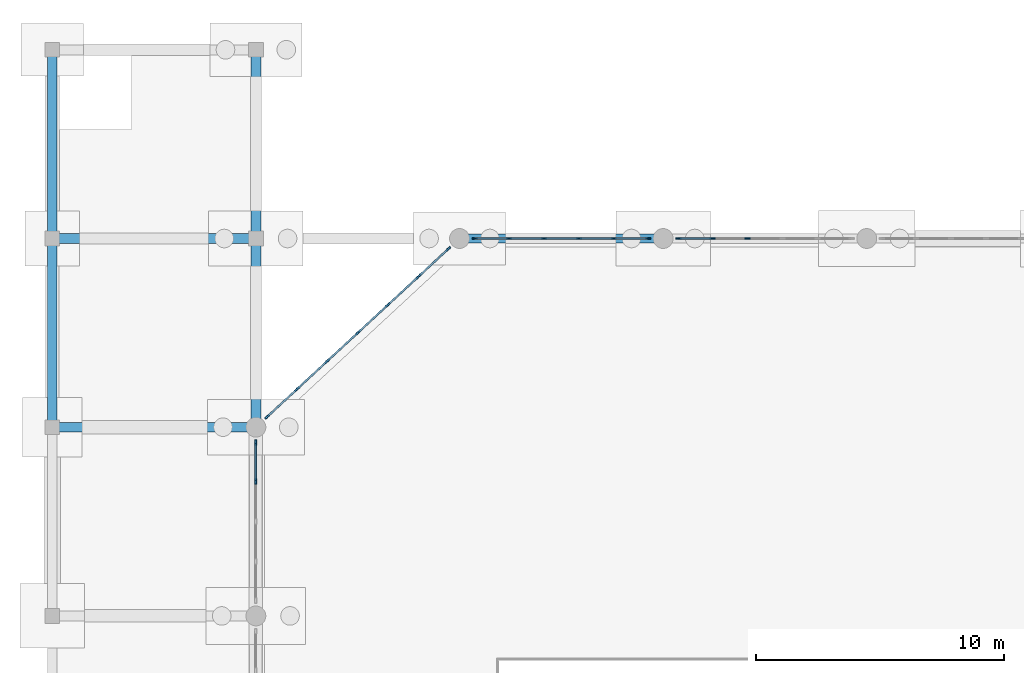
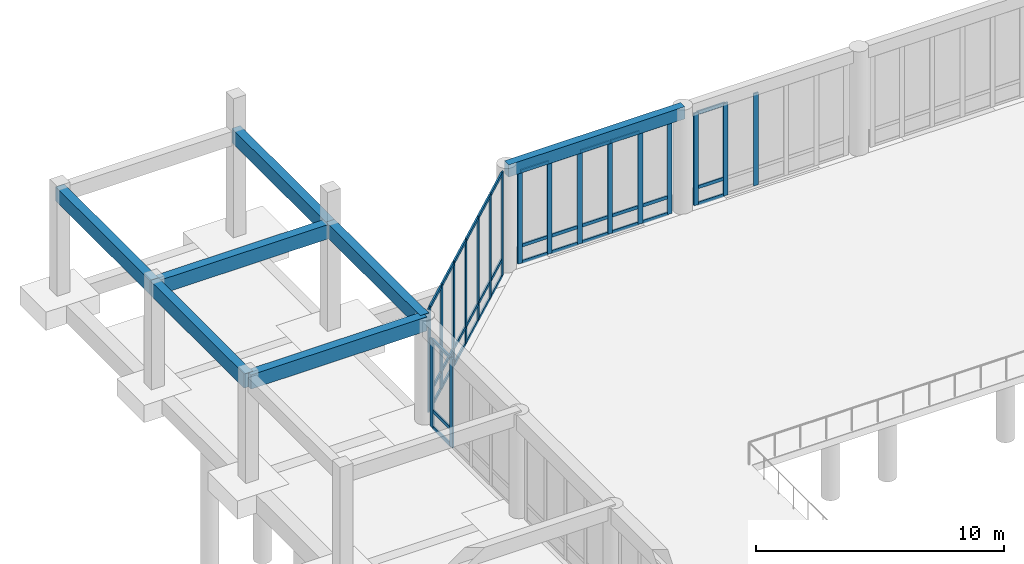
# One storey, part 24 of 64: 57 members, 7 beams, 4 elements without a shape of their own.
"""IFC4 building model written with IfcOpenShell, lengths in metres."""

from ifc_helpers import new_model, si_unit, direction, frame, origin, origin_2d, place, context, subcontext, project, spatial, rectangle, extrude, material, material_profile, profile_set, type_object, element, aggregate, save


model = new_model("IFC4")

# Units and contexts
model_context = context("Model", 3, precision=1e-05, world=origin(), true_north=direction((0.0, 1.0)))
body_context = subcontext(model_context, "Body", "Model", "MODEL_VIEW")
ifc_project = project(units=[si_unit("LENGTHUNIT", "METRE"), si_unit("AREAUNIT", "SQUARE_METRE"), si_unit("VOLUMEUNIT", "CUBIC_METRE"), si_unit("PLANEANGLEUNIT", "RADIAN"), si_unit("MASSUNIT", "GRAM", prefix="KILO")], contexts=[model_context])

# Site, building, storey
site_placement = place(None, origin())
site = spatial("IfcSite", under=ifc_project, at=site_placement, CompositionType="ELEMENT")
building_placement = place(site_placement, origin())
building = spatial("IfcBuilding", under=site, at=building_placement, Name="Qandaris Square Conservatory and Botanical Centre", CompositionType="ELEMENT")
storey_placement = place(building_placement, origin())
storey = spatial("IfcBuildingStorey", under=building, at=storey_placement, Name="L00", CompositionType="ELEMENT", Elevation=0.0)

# Curtain wall, members
ifc_material_1 = material(Name="Anodised Aluminium", Category="aluminium")
curtain_wall_type_1 = type_object("IfcCurtainWallType", Name="Unitised Curtain Wall CW-1-704x454", PredefinedType="USERDEFINED", material=ifc_material_1)
curtain_wall_1_placement = place(storey_placement, origin())
curtain_wall_1 = element("IfcCurtainWall", 1, at=curtain_wall_1_placement, inside=storey, type_object=curtain_wall_type_1, Name="Curtain Wall CW-CON-L00-5-2", ObjectType="GLAZED CURTAIN WALL", PredefinedType="USERDEFINED")
ifc_material_profile_1 = material_profile(ifc_material_1, rectangle(XDim=0.074951171875, YDim=0.219970703125, at=origin_2d()), Name="ALU-MUL 75x220")
ifc_profile_set_1 = profile_set([ifc_material_profile_1], Name="Anodised Aluminium")
member_type_1 = type_object("IfcMemberType", Name="Conservatory Heavy Mullion 75x220", PredefinedType="MULLION", material=ifc_profile_set_1)
member_1_placement = place(storey_placement, frame((35.99609375, 115.39990234375, 0.0), z_axis=(0.0, 0.0, 1.0), x_axis=(0.0, -1.0, 0.0)))
member_1 = element("IfcMember", 2, at=member_1_placement, type_object=member_type_1, Name="CW-1-704x454 mullion 4", PredefinedType="MULLION", context=body_context, shape_type="SweptSolid", body=[
    extrude(rectangle(XDim=0.074951171875, YDim=0.219970703125, at=origin_2d()), origin(), (0.0, 0.0, 1.0), 4.544921875),
])
member_2_placement = place(storey_placement, frame((34.587890625, 115.39990234375, 0.0), z_axis=(0.0, 0.0, 1.0), x_axis=(0.0, -1.0, 0.0)))
member_2 = element("IfcMember", 3, at=member_2_placement, type_object=member_type_1, Name="CW-1-704x454 mullion 5", PredefinedType="MULLION", context=body_context, shape_type="SweptSolid", body=[
    extrude(rectangle(XDim=0.074951171875, YDim=0.219970703125, at=origin_2d()), origin(), (0.0, 0.0, 1.0), 4.544921875),
])
member_3_placement = place(storey_placement, frame((33.217529296875, 115.39990234375, 0.0), z_axis=(0.0, 0.0, 1.0), x_axis=(0.0, -1.0, 0.0)))
member_3 = element("IfcMember", 4, at=member_3_placement, type_object=member_type_1, Name="CW-1-704x454 mullion 6", PredefinedType="MULLION", context=body_context, shape_type="SweptSolid", body=[
    extrude(rectangle(XDim=0.074951171875, YDim=0.219970703125, at=origin_2d()), origin(), (0.0, 0.0, 1.0), 4.544921875),
])

curtain_wall_2_placement = place(storey_placement, origin())
curtain_wall_2 = element("IfcCurtainWall", 5, at=curtain_wall_2_placement, inside=storey, type_object=curtain_wall_type_1, Name="Curtain Wall CW-CON-L00-5-3", ObjectType="GLAZED CURTAIN WALL", PredefinedType="USERDEFINED")
member_4_placement = place(storey_placement, frame((31.982421875, 115.39990234375, 0.0), z_axis=(0.0, 0.0, 1.0), x_axis=(0.0, -1.0, 0.0)))
member_4 = element("IfcMember", 6, at=member_4_placement, type_object=member_type_1, Name="CW-1-704x454 mullion 1", PredefinedType="MULLION", context=body_context, shape_type="SweptSolid", body=[
    extrude(rectangle(XDim=0.074951171875, YDim=0.219970703125, at=origin_2d()), origin(), (0.0, 0.0, 1.0), 4.544921875),
])
member_5_placement = place(storey_placement, frame((30.612060546875, 115.39990234375, 0.0), z_axis=(0.0, 0.0, 1.0), x_axis=(0.0, -1.0, 0.0)))
member_5 = element("IfcMember", 7, at=member_5_placement, type_object=member_type_1, Name="CW-1-704x454 mullion 2", PredefinedType="MULLION", context=body_context, shape_type="SweptSolid", body=[
    extrude(rectangle(XDim=0.074951171875, YDim=0.219970703125, at=origin_2d()), origin(), (0.0, 0.0, 1.0), 4.544921875),
])
member_6_placement = place(storey_placement, frame((29.2041015625, 115.39990234375, 0.0), z_axis=(0.0, 0.0, 1.0), x_axis=(0.0, -1.0, 0.0)))
member_6 = element("IfcMember", 8, at=member_6_placement, type_object=member_type_1, Name="CW-1-704x454 mullion 3", PredefinedType="MULLION", context=body_context, shape_type="SweptSolid", body=[
    extrude(rectangle(XDim=0.074951171875, YDim=0.219970703125, at=origin_2d()), origin(), (0.0, 0.0, 1.0), 4.544921875),
])
member_7_placement = place(storey_placement, frame((27.7958984375, 115.39990234375, 0.0), z_axis=(0.0, 0.0, 1.0), x_axis=(0.0, -1.0, 0.0)))
member_7 = element("IfcMember", 9, at=member_7_placement, type_object=member_type_1, Name="CW-1-704x454 mullion 4", PredefinedType="MULLION", context=body_context, shape_type="SweptSolid", body=[
    extrude(rectangle(XDim=0.074951171875, YDim=0.219970703125, at=origin_2d()), origin(), (0.0, 0.0, 1.0), 4.544921875),
])
member_8_placement = place(storey_placement, frame((26.387939453125, 115.39990234375, 0.0), z_axis=(0.0, 0.0, 1.0), x_axis=(0.0, -1.0, 0.0)))
member_8 = element("IfcMember", 10, at=member_8_placement, type_object=member_type_1, Name="CW-1-704x454 mullion 5", PredefinedType="MULLION", context=body_context, shape_type="SweptSolid", body=[
    extrude(rectangle(XDim=0.074951171875, YDim=0.219970703125, at=origin_2d()), origin(), (0.0, 0.0, 1.0), 4.544921875),
])
member_9_placement = place(storey_placement, frame((25.017578125, 115.39990234375, 0.0), z_axis=(0.0, 0.0, 1.0), x_axis=(0.0, -1.0, 0.0)))
member_9 = element("IfcMember", 11, at=member_9_placement, type_object=member_type_1, Name="CW-1-704x454 mullion 6", PredefinedType="MULLION", context=body_context, shape_type="SweptSolid", body=[
    extrude(rectangle(XDim=0.074951171875, YDim=0.219970703125, at=origin_2d()), origin(), (0.0, 0.0, 1.0), 4.544921875),
])

curtain_wall_type_2 = type_object("IfcCurtainWallType", Name="Unitised Curtain Wall CW-1-1002x510", PredefinedType="USERDEFINED", material=ifc_material_1)
curtain_wall_3_placement = place(storey_placement, origin())
curtain_wall_3 = element("IfcCurtainWall", 12, at=curtain_wall_3_placement, inside=storey, type_object=curtain_wall_type_2, Name="Curtain Wall CW-CON-L00-6-1", ObjectType="GLAZED CURTAIN WALL", PredefinedType="USERDEFINED")
member_10_placement = place(storey_placement, frame((23.947021484375, 114.980224609375, 0.0), z_axis=(0.0, 0.0, 1.0), x_axis=(0.679761784592, -0.733432966404, 0.0)))
member_10 = element("IfcMember", 13, at=member_10_placement, type_object=member_type_1, Name="CW-1-1002x510 mullion 1", PredefinedType="MULLION", context=body_context, shape_type="SweptSolid", body=[
    extrude(rectangle(XDim=0.074951171875, YDim=0.219970703125, at=origin_2d()), origin(), (0.0, 0.0, 1.0), 5.10009765625),
])
member_11_placement = place(storey_placement, frame((22.749755859375, 113.870361328125, 0.0), z_axis=(0.0, 0.0, 1.0), x_axis=(0.679761784592, -0.733432966404, 0.0)))
member_11 = element("IfcMember", 14, at=member_11_placement, type_object=member_type_1, Name="CW-1-1002x510 mullion 2", PredefinedType="MULLION", context=body_context, shape_type="SweptSolid", body=[
    extrude(rectangle(XDim=0.074951171875, YDim=0.219970703125, at=origin_2d()), origin(), (0.0, 0.0, 1.0), 5.10009765625),
])
member_12_placement = place(storey_placement, frame((21.52490234375, 112.7353515625, 0.0), z_axis=(0.0, 0.0, 1.0), x_axis=(0.679761784592, -0.733432966404, 0.0)))
member_12 = element("IfcMember", 15, at=member_12_placement, type_object=member_type_1, Name="CW-1-1002x510 mullion 3", PredefinedType="MULLION", context=body_context, shape_type="SweptSolid", body=[
    extrude(rectangle(XDim=0.074951171875, YDim=0.219970703125, at=origin_2d()), origin(), (0.0, 0.0, 1.0), 5.10009765625),
])
member_13_placement = place(storey_placement, frame((20.300048828125, 111.60009765625, 0.0), z_axis=(0.0, 0.0, 1.0), x_axis=(0.679761784592, -0.733432966404, 0.0)))
member_13 = element("IfcMember", 16, at=member_13_placement, type_object=member_type_1, Name="CW-1-1002x510 mullion 4", PredefinedType="MULLION", context=body_context, shape_type="SweptSolid", body=[
    extrude(rectangle(XDim=0.074951171875, YDim=0.219970703125, at=origin_2d()), origin(), (0.0, 0.0, 1.0), 5.10009765625),
])
member_14_placement = place(storey_placement, frame((19.0751953125, 110.46484375, 0.0), z_axis=(0.0, 0.0, 1.0), x_axis=(0.679761784592, -0.733432966404, 0.0)))
member_14 = element("IfcMember", 17, at=member_14_placement, type_object=member_type_1, Name="CW-1-1002x510 mullion 5", PredefinedType="MULLION", context=body_context, shape_type="SweptSolid", body=[
    extrude(rectangle(XDim=0.074951171875, YDim=0.219970703125, at=origin_2d()), origin(), (0.0, 0.0, 1.0), 5.10009765625),
])
member_15_placement = place(storey_placement, frame((17.850341796875, 109.32958984375, 0.0), z_axis=(0.0, 0.0, 1.0), x_axis=(0.679761784592, -0.733432966404, 0.0)))
member_15 = element("IfcMember", 18, at=member_15_placement, type_object=member_type_1, Name="CW-1-1002x510 mullion 6", PredefinedType="MULLION", context=body_context, shape_type="SweptSolid", body=[
    extrude(rectangle(XDim=0.074951171875, YDim=0.219970703125, at=origin_2d()), origin(), (0.0, 0.0, 1.0), 5.10009765625),
])
member_16_placement = place(storey_placement, frame((16.65283203125, 108.2197265625, 0.0), z_axis=(0.0, 0.0, 1.0), x_axis=(0.679761784592, -0.733432966404, 0.0)))
member_16 = element("IfcMember", 19, at=member_16_placement, type_object=member_type_1, Name="CW-1-1002x510 mullion 7", PredefinedType="MULLION", context=body_context, shape_type="SweptSolid", body=[
    extrude(rectangle(XDim=0.074951171875, YDim=0.219970703125, at=origin_2d()), origin(), (0.0, 0.0, 1.0), 5.10009765625),
])

curtain_wall_type_3 = type_object("IfcCurtainWallType", Name="Unitised Curtain Wall CW-1-644x435", PredefinedType="USERDEFINED", material=ifc_material_1)
curtain_wall_4_placement = place(storey_placement, origin())
curtain_wall_4 = element("IfcCurtainWall", 20, at=curtain_wall_4_placement, inside=storey, type_object=curtain_wall_type_3, Name="Curtain Wall CW-CON-L00-7-1", ObjectType="GLAZED CURTAIN WALL", PredefinedType="USERDEFINED")
member_17_placement = place(storey_placement, frame((16.199951171875, 107.1826171875, 0.0), z_axis=(0.0, 0.0, 1.0), x_axis=(1.0, 0.0, 0.0)))
member_17 = element("IfcMember", 21, at=member_17_placement, type_object=member_type_1, Name="CW-1-644x435 mullion 1", PredefinedType="MULLION", context=body_context, shape_type="SweptSolid", body=[
    extrude(rectangle(XDim=0.074951171875, YDim=0.219970703125, at=origin_2d()), origin(), (0.0, 0.0, 1.0), 4.35009765625),
])
member_18_placement = place(storey_placement, frame((16.199951171875, 105.610107421875, 0.0), z_axis=(0.0, 0.0, 1.0), x_axis=(1.0, 0.0, 0.0)))
member_18 = element("IfcMember", 22, at=member_18_placement, type_object=member_type_1, Name="CW-1-644x435 mullion 2", PredefinedType="MULLION", context=body_context, shape_type="SweptSolid", body=[
    extrude(rectangle(XDim=0.074951171875, YDim=0.219970703125, at=origin_2d()), origin(), (0.0, 0.0, 1.0), 4.35009765625),
])

# Member
ifc_material_profile_2 = material_profile(ifc_material_1, rectangle(XDim=0.074951171875, YDim=0.159912109375, at=origin_2d()), Name="ALU-TRN 75x160")
ifc_profile_set_2 = profile_set([ifc_material_profile_2], Name="Anodised Aluminium")
member_type_2 = type_object("IfcMemberType", Name="Conservatory Heavy Transom 75x160", PredefinedType="USERDEFINED", material=ifc_profile_set_2)
member_19_placement = place(storey_placement, frame((34.550537109375, 115.39990234375, 0.03759765625), z_axis=(-1.0, 0.0, 0.0), x_axis=(0.0, -1.0, 0.0)))
member_19 = element("IfcMember", 23, at=member_19_placement, type_object=member_type_2, Name="CW-1-704x454 transom 5.1", ObjectType="TRANSOM", PredefinedType="USERDEFINED", context=body_context, shape_type="SweptSolid", body=[
    extrude(rectangle(XDim=0.074951171875, YDim=0.159912109375, at=origin_2d()), origin(), (0.0, 0.0, 1.0), 1.295654296875),
])

member_20_placement = place(storey_placement, frame((34.550537109375, 115.39990234375, 0.85009765625), z_axis=(-1.0, 0.0, 0.0), x_axis=(0.0, -1.0, 0.0)))
member_20 = element("IfcMember", 24, at=member_20_placement, type_object=member_type_2, Name="CW-1-704x454 transom 5.2", ObjectType="TRANSOM", PredefinedType="USERDEFINED", context=body_context, shape_type="SweptSolid", body=[
    extrude(rectangle(XDim=0.074951171875, YDim=0.159912109375, at=origin_2d()), origin(), (0.0, 0.0, 1.0), 1.295654296875),
])

member_21_placement = place(storey_placement, frame((34.550537109375, 115.39990234375, 4.507568359375), z_axis=(-1.0, 0.0, 0.0), x_axis=(0.0, -1.0, 0.0)))
member_21 = element("IfcMember", 25, at=member_21_placement, type_object=member_type_2, Name="CW-1-704x454 transom 5.3", ObjectType="TRANSOM", PredefinedType="USERDEFINED", context=body_context, shape_type="SweptSolid", body=[
    extrude(rectangle(XDim=0.074951171875, YDim=0.159912109375, at=origin_2d()), origin(), (0.0, 0.0, 1.0), 1.295654296875),
])

aggregate(curtain_wall_1, [member_1, member_2, member_3, member_19, member_20, member_21])

member_22_placement = place(storey_placement, frame((31.945068359375, 115.39990234375, 0.03759765625), z_axis=(-1.0, 0.0, 0.0), x_axis=(0.0, -1.0, 0.0)))
member_22 = element("IfcMember", 26, at=member_22_placement, type_object=member_type_2, Name="CW-1-704x454 transom 1.1", ObjectType="TRANSOM", PredefinedType="USERDEFINED", context=body_context, shape_type="SweptSolid", body=[
    extrude(rectangle(XDim=0.074951171875, YDim=0.159912109375, at=origin_2d()), origin(), (0.0, 0.0, 1.0), 1.295654296875),
])

member_23_placement = place(storey_placement, frame((31.945068359375, 115.39990234375, 0.85009765625), z_axis=(-1.0, 0.0, 0.0), x_axis=(0.0, -1.0, 0.0)))
member_23 = element("IfcMember", 27, at=member_23_placement, type_object=member_type_2, Name="CW-1-704x454 transom 1.2", ObjectType="TRANSOM", PredefinedType="USERDEFINED", context=body_context, shape_type="SweptSolid", body=[
    extrude(rectangle(XDim=0.074951171875, YDim=0.159912109375, at=origin_2d()), origin(), (0.0, 0.0, 1.0), 1.295654296875),
])

member_24_placement = place(storey_placement, frame((31.945068359375, 115.39990234375, 4.507568359375), z_axis=(-1.0, 0.0, 0.0), x_axis=(0.0, -1.0, 0.0)))
member_24 = element("IfcMember", 28, at=member_24_placement, type_object=member_type_2, Name="CW-1-704x454 transom 1.3", ObjectType="TRANSOM", PredefinedType="USERDEFINED", context=body_context, shape_type="SweptSolid", body=[
    extrude(rectangle(XDim=0.074951171875, YDim=0.159912109375, at=origin_2d()), origin(), (0.0, 0.0, 1.0), 1.295654296875),
])

member_25_placement = place(storey_placement, frame((30.574462890625, 115.39990234375, 0.03759765625), z_axis=(-1.0, 0.0, 0.0), x_axis=(0.0, -1.0, 0.0)))
member_25 = element("IfcMember", 29, at=member_25_placement, type_object=member_type_2, Name="CW-1-704x454 transom 2.1", ObjectType="TRANSOM", PredefinedType="USERDEFINED", context=body_context, shape_type="SweptSolid", body=[
    extrude(rectangle(XDim=0.074951171875, YDim=0.159912109375, at=origin_2d()), origin(), (0.0, 0.0, 1.0), 1.3330078125),
])

member_26_placement = place(storey_placement, frame((30.574462890625, 115.39990234375, 0.85009765625), z_axis=(-1.0, 0.0, 0.0), x_axis=(0.0, -1.0, 0.0)))
member_26 = element("IfcMember", 30, at=member_26_placement, type_object=member_type_2, Name="CW-1-704x454 transom 2.2", ObjectType="TRANSOM", PredefinedType="USERDEFINED", context=body_context, shape_type="SweptSolid", body=[
    extrude(rectangle(XDim=0.074951171875, YDim=0.159912109375, at=origin_2d()), origin(), (0.0, 0.0, 1.0), 1.3330078125),
])

member_27_placement = place(storey_placement, frame((30.574462890625, 115.39990234375, 4.507568359375), z_axis=(-1.0, 0.0, 0.0), x_axis=(0.0, -1.0, 0.0)))
member_27 = element("IfcMember", 31, at=member_27_placement, type_object=member_type_2, Name="CW-1-704x454 transom 2.3", ObjectType="TRANSOM", PredefinedType="USERDEFINED", context=body_context, shape_type="SweptSolid", body=[
    extrude(rectangle(XDim=0.074951171875, YDim=0.159912109375, at=origin_2d()), origin(), (0.0, 0.0, 1.0), 1.3330078125),
])

member_28_placement = place(storey_placement, frame((29.16650390625, 115.39990234375, 0.03759765625), z_axis=(-1.0, 0.0, 0.0), x_axis=(0.0, -1.0, 0.0)))
member_28 = element("IfcMember", 32, at=member_28_placement, type_object=member_type_2, Name="CW-1-704x454 transom 3.1", ObjectType="TRANSOM", PredefinedType="USERDEFINED", context=body_context, shape_type="SweptSolid", body=[
    extrude(rectangle(XDim=0.074951171875, YDim=0.159912109375, at=origin_2d()), origin(), (0.0, 0.0, 1.0), 1.3330078125),
])

member_29_placement = place(storey_placement, frame((29.16650390625, 115.39990234375, 0.85009765625), z_axis=(-1.0, 0.0, 0.0), x_axis=(0.0, -1.0, 0.0)))
member_29 = element("IfcMember", 33, at=member_29_placement, type_object=member_type_2, Name="CW-1-704x454 transom 3.2", ObjectType="TRANSOM", PredefinedType="USERDEFINED", context=body_context, shape_type="SweptSolid", body=[
    extrude(rectangle(XDim=0.074951171875, YDim=0.159912109375, at=origin_2d()), origin(), (0.0, 0.0, 1.0), 1.3330078125),
])

member_30_placement = place(storey_placement, frame((29.16650390625, 115.39990234375, 4.507568359375), z_axis=(-1.0, 0.0, 0.0), x_axis=(0.0, -1.0, 0.0)))
member_30 = element("IfcMember", 34, at=member_30_placement, type_object=member_type_2, Name="CW-1-704x454 transom 3.3", ObjectType="TRANSOM", PredefinedType="USERDEFINED", context=body_context, shape_type="SweptSolid", body=[
    extrude(rectangle(XDim=0.074951171875, YDim=0.159912109375, at=origin_2d()), origin(), (0.0, 0.0, 1.0), 1.3330078125),
])

member_31_placement = place(storey_placement, frame((27.758544921875, 115.39990234375, 0.03759765625), z_axis=(-1.0, 0.0, 0.0), x_axis=(0.0, -1.0, 0.0)))
member_31 = element("IfcMember", 35, at=member_31_placement, type_object=member_type_2, Name="CW-1-704x454 transom 4.1", ObjectType="TRANSOM", PredefinedType="USERDEFINED", context=body_context, shape_type="SweptSolid", body=[
    extrude(rectangle(XDim=0.074951171875, YDim=0.159912109375, at=origin_2d()), origin(), (0.0, 0.0, 1.0), 1.3330078125),
])

member_32_placement = place(storey_placement, frame((27.758544921875, 115.39990234375, 0.85009765625), z_axis=(-1.0, 0.0, 0.0), x_axis=(0.0, -1.0, 0.0)))
member_32 = element("IfcMember", 36, at=member_32_placement, type_object=member_type_2, Name="CW-1-704x454 transom 4.2", ObjectType="TRANSOM", PredefinedType="USERDEFINED", context=body_context, shape_type="SweptSolid", body=[
    extrude(rectangle(XDim=0.074951171875, YDim=0.159912109375, at=origin_2d()), origin(), (0.0, 0.0, 1.0), 1.3330078125),
])

member_33_placement = place(storey_placement, frame((27.758544921875, 115.39990234375, 4.507568359375), z_axis=(-1.0, 0.0, 0.0), x_axis=(0.0, -1.0, 0.0)))
member_33 = element("IfcMember", 37, at=member_33_placement, type_object=member_type_2, Name="CW-1-704x454 transom 4.3", ObjectType="TRANSOM", PredefinedType="USERDEFINED", context=body_context, shape_type="SweptSolid", body=[
    extrude(rectangle(XDim=0.074951171875, YDim=0.159912109375, at=origin_2d()), origin(), (0.0, 0.0, 1.0), 1.3330078125),
])

member_34_placement = place(storey_placement, frame((26.3505859375, 115.39990234375, 0.03759765625), z_axis=(-1.0, 0.0, 0.0), x_axis=(0.0, -1.0, 0.0)))
member_34 = element("IfcMember", 38, at=member_34_placement, type_object=member_type_2, Name="CW-1-704x454 transom 5.1", ObjectType="TRANSOM", PredefinedType="USERDEFINED", context=body_context, shape_type="SweptSolid", body=[
    extrude(rectangle(XDim=0.074951171875, YDim=0.159912109375, at=origin_2d()), origin(), (0.0, 0.0, 1.0), 1.295654296875),
])

member_35_placement = place(storey_placement, frame((26.3505859375, 115.39990234375, 0.85009765625), z_axis=(-1.0, 0.0, 0.0), x_axis=(0.0, -1.0, 0.0)))
member_35 = element("IfcMember", 39, at=member_35_placement, type_object=member_type_2, Name="CW-1-704x454 transom 5.2", ObjectType="TRANSOM", PredefinedType="USERDEFINED", context=body_context, shape_type="SweptSolid", body=[
    extrude(rectangle(XDim=0.074951171875, YDim=0.159912109375, at=origin_2d()), origin(), (0.0, 0.0, 1.0), 1.295654296875),
])

member_36_placement = place(storey_placement, frame((26.3505859375, 115.39990234375, 4.507568359375), z_axis=(-1.0, 0.0, 0.0), x_axis=(0.0, -1.0, 0.0)))
member_36 = element("IfcMember", 40, at=member_36_placement, type_object=member_type_2, Name="CW-1-704x454 transom 5.3", ObjectType="TRANSOM", PredefinedType="USERDEFINED", context=body_context, shape_type="SweptSolid", body=[
    extrude(rectangle(XDim=0.074951171875, YDim=0.159912109375, at=origin_2d()), origin(), (0.0, 0.0, 1.0), 1.295654296875),
])

aggregate(curtain_wall_2, [member_4, member_5, member_6, member_7, member_8, member_9, member_22, member_23, member_24, member_25, member_26, member_27, member_28, member_29, member_30, member_31, member_32, member_33, member_34, member_35, member_36])

member_37_placement = place(storey_placement, frame((23.919677734375, 114.954833984375, 0.03759765625), z_axis=(-0.733401706001, -0.679795511632, 0.0), x_axis=(0.679795511632, -0.733401706001, 0.0)))
member_37 = element("IfcMember", 41, at=member_37_placement, type_object=member_type_2, Name="CW-1-1002x510 transom 1.1", ObjectType="TRANSOM", PredefinedType="USERDEFINED", context=body_context, shape_type="SweptSolid", body=[
    extrude(rectangle(XDim=0.074951171875, YDim=0.159912109375, at=origin_2d()), origin(), (0.0, 0.0, 1.0), 1.5576171875),
])

member_38_placement = place(storey_placement, frame((23.919677734375, 114.954833984375, 0.85009765625), z_axis=(-0.733401706001, -0.679795511632, 0.0), x_axis=(0.679795511632, -0.733401706001, 0.0)))
member_38 = element("IfcMember", 42, at=member_38_placement, type_object=member_type_2, Name="CW-1-1002x510 transom 1.2", ObjectType="TRANSOM", PredefinedType="USERDEFINED", context=body_context, shape_type="SweptSolid", body=[
    extrude(rectangle(XDim=0.074951171875, YDim=0.159912109375, at=origin_2d()), origin(), (0.0, 0.0, 1.0), 1.5576171875),
])

member_39_placement = place(storey_placement, frame((23.919677734375, 114.954833984375, 5.0625), z_axis=(-0.733401706001, -0.679795511632, 0.0), x_axis=(0.679795511632, -0.733401706001, 0.0)))
member_39 = element("IfcMember", 43, at=member_39_placement, type_object=member_type_2, Name="CW-1-1002x510 transom 1.3", ObjectType="TRANSOM", PredefinedType="USERDEFINED", context=body_context, shape_type="SweptSolid", body=[
    extrude(rectangle(XDim=0.074951171875, YDim=0.159912109375, at=origin_2d()), origin(), (0.0, 0.0, 1.0), 1.5576171875),
])

member_40_placement = place(storey_placement, frame((22.72216796875, 113.844970703125, 0.03759765625), z_axis=(-0.733387482848, -0.679810856049, 0.0), x_axis=(0.679810856049, -0.733387482848, 0.0)))
member_40 = element("IfcMember", 44, at=member_40_placement, type_object=member_type_2, Name="CW-1-1002x510 transom 2.1", ObjectType="TRANSOM", PredefinedType="USERDEFINED", context=body_context, shape_type="SweptSolid", body=[
    extrude(rectangle(XDim=0.074951171875, YDim=0.159912109375, at=origin_2d()), origin(), (0.0, 0.0, 1.0), 1.594970703125),
])

member_41_placement = place(storey_placement, frame((22.72216796875, 113.844970703125, 0.85009765625), z_axis=(-0.733387482848, -0.679810856049, 0.0), x_axis=(0.679810856049, -0.733387482848, 0.0)))
member_41 = element("IfcMember", 45, at=member_41_placement, type_object=member_type_2, Name="CW-1-1002x510 transom 2.2", ObjectType="TRANSOM", PredefinedType="USERDEFINED", context=body_context, shape_type="SweptSolid", body=[
    extrude(rectangle(XDim=0.074951171875, YDim=0.159912109375, at=origin_2d()), origin(), (0.0, 0.0, 1.0), 1.594970703125),
])

member_42_placement = place(storey_placement, frame((22.72216796875, 113.844970703125, 5.0625), z_axis=(-0.733387482848, -0.679810856049, 0.0), x_axis=(0.679810856049, -0.733387482848, 0.0)))
member_42 = element("IfcMember", 46, at=member_42_placement, type_object=member_type_2, Name="CW-1-1002x510 transom 2.3", ObjectType="TRANSOM", PredefinedType="USERDEFINED", context=body_context, shape_type="SweptSolid", body=[
    extrude(rectangle(XDim=0.074951171875, YDim=0.159912109375, at=origin_2d()), origin(), (0.0, 0.0, 1.0), 1.594970703125),
])

member_43_placement = place(storey_placement, frame((21.497314453125, 112.709716796875, 0.03759765625), z_axis=(-0.733458213943, -0.679734542597, 0.0), x_axis=(0.679734542597, -0.733458213943, 0.0)))
member_43 = element("IfcMember", 47, at=member_43_placement, type_object=member_type_2, Name="CW-1-1002x510 transom 3.1", ObjectType="TRANSOM", PredefinedType="USERDEFINED", context=body_context, shape_type="SweptSolid", body=[
    extrude(rectangle(XDim=0.074951171875, YDim=0.159912109375, at=origin_2d()), origin(), (0.0, 0.0, 1.0), 1.594970703125),
])

member_44_placement = place(storey_placement, frame((21.497314453125, 112.709716796875, 0.85009765625), z_axis=(-0.733458213943, -0.679734542597, 0.0), x_axis=(0.679734542597, -0.733458213943, 0.0)))
member_44 = element("IfcMember", 48, at=member_44_placement, type_object=member_type_2, Name="CW-1-1002x510 transom 3.2", ObjectType="TRANSOM", PredefinedType="USERDEFINED", context=body_context, shape_type="SweptSolid", body=[
    extrude(rectangle(XDim=0.074951171875, YDim=0.159912109375, at=origin_2d()), origin(), (0.0, 0.0, 1.0), 1.594970703125),
])

member_45_placement = place(storey_placement, frame((21.497314453125, 112.709716796875, 5.0625), z_axis=(-0.733458213943, -0.679734542597, 0.0), x_axis=(0.679734542597, -0.733458213943, 0.0)))
member_45 = element("IfcMember", 49, at=member_45_placement, type_object=member_type_2, Name="CW-1-1002x510 transom 3.3", ObjectType="TRANSOM", PredefinedType="USERDEFINED", context=body_context, shape_type="SweptSolid", body=[
    extrude(rectangle(XDim=0.074951171875, YDim=0.159912109375, at=origin_2d()), origin(), (0.0, 0.0, 1.0), 1.594970703125),
])

member_46_placement = place(storey_placement, frame((20.2724609375, 111.574462890625, 0.03759765625), z_axis=(-0.733458213943, -0.679734542597, 0.0), x_axis=(0.679734542597, -0.733458213943, 0.0)))
member_46 = element("IfcMember", 50, at=member_46_placement, type_object=member_type_2, Name="CW-1-1002x510 transom 4.1", ObjectType="TRANSOM", PredefinedType="USERDEFINED", context=body_context, shape_type="SweptSolid", body=[
    extrude(rectangle(XDim=0.074951171875, YDim=0.159912109375, at=origin_2d()), origin(), (0.0, 0.0, 1.0), 1.594970703125),
])

member_47_placement = place(storey_placement, frame((20.2724609375, 111.574462890625, 0.85009765625), z_axis=(-0.733458213943, -0.679734542597, 0.0), x_axis=(0.679734542597, -0.733458213943, 0.0)))
member_47 = element("IfcMember", 51, at=member_47_placement, type_object=member_type_2, Name="CW-1-1002x510 transom 4.2", ObjectType="TRANSOM", PredefinedType="USERDEFINED", context=body_context, shape_type="SweptSolid", body=[
    extrude(rectangle(XDim=0.074951171875, YDim=0.159912109375, at=origin_2d()), origin(), (0.0, 0.0, 1.0), 1.594970703125),
])

member_48_placement = place(storey_placement, frame((20.2724609375, 111.574462890625, 5.0625), z_axis=(-0.733458213943, -0.679734542597, 0.0), x_axis=(0.679734542597, -0.733458213943, 0.0)))
member_48 = element("IfcMember", 52, at=member_48_placement, type_object=member_type_2, Name="CW-1-1002x510 transom 4.3", ObjectType="TRANSOM", PredefinedType="USERDEFINED", context=body_context, shape_type="SweptSolid", body=[
    extrude(rectangle(XDim=0.074951171875, YDim=0.159912109375, at=origin_2d()), origin(), (0.0, 0.0, 1.0), 1.594970703125),
])

member_49_placement = place(storey_placement, frame((19.047607421875, 110.439208984375, 0.03759765625), z_axis=(-0.733458213943, -0.679734542597, 0.0), x_axis=(0.679734542597, -0.733458213943, 0.0)))
member_49 = element("IfcMember", 53, at=member_49_placement, type_object=member_type_2, Name="CW-1-1002x510 transom 5.1", ObjectType="TRANSOM", PredefinedType="USERDEFINED", context=body_context, shape_type="SweptSolid", body=[
    extrude(rectangle(XDim=0.074951171875, YDim=0.159912109375, at=origin_2d()), origin(), (0.0, 0.0, 1.0), 1.594970703125),
])

member_50_placement = place(storey_placement, frame((19.047607421875, 110.439208984375, 0.85009765625), z_axis=(-0.733458213943, -0.679734542597, 0.0), x_axis=(0.679734542597, -0.733458213943, 0.0)))
member_50 = element("IfcMember", 54, at=member_50_placement, type_object=member_type_2, Name="CW-1-1002x510 transom 5.2", ObjectType="TRANSOM", PredefinedType="USERDEFINED", context=body_context, shape_type="SweptSolid", body=[
    extrude(rectangle(XDim=0.074951171875, YDim=0.159912109375, at=origin_2d()), origin(), (0.0, 0.0, 1.0), 1.594970703125),
])

member_51_placement = place(storey_placement, frame((19.047607421875, 110.439208984375, 5.0625), z_axis=(-0.733458213943, -0.679734542597, 0.0), x_axis=(0.679734542597, -0.733458213943, 0.0)))
member_51 = element("IfcMember", 55, at=member_51_placement, type_object=member_type_2, Name="CW-1-1002x510 transom 5.3", ObjectType="TRANSOM", PredefinedType="USERDEFINED", context=body_context, shape_type="SweptSolid", body=[
    extrude(rectangle(XDim=0.074951171875, YDim=0.159912109375, at=origin_2d()), origin(), (0.0, 0.0, 1.0), 1.594970703125),
])

member_52_placement = place(storey_placement, frame((17.82275390625, 109.303955078125, 0.03759765625), z_axis=(-0.7334798559, -0.679711189395, 0.0), x_axis=(0.679711189395, -0.7334798559, 0.0)))
member_52 = element("IfcMember", 56, at=member_52_placement, type_object=member_type_2, Name="CW-1-1002x510 transom 6.1", ObjectType="TRANSOM", PredefinedType="USERDEFINED", context=body_context, shape_type="SweptSolid", body=[
    extrude(rectangle(XDim=0.074951171875, YDim=0.159912109375, at=origin_2d()), origin(), (0.0, 0.0, 1.0), 1.557373046875),
])

member_53_placement = place(storey_placement, frame((17.82275390625, 109.303955078125, 0.85009765625), z_axis=(-0.7334798559, -0.679711189395, 0.0), x_axis=(0.679711189395, -0.7334798559, 0.0)))
member_53 = element("IfcMember", 57, at=member_53_placement, type_object=member_type_2, Name="CW-1-1002x510 transom 6.2", ObjectType="TRANSOM", PredefinedType="USERDEFINED", context=body_context, shape_type="SweptSolid", body=[
    extrude(rectangle(XDim=0.074951171875, YDim=0.159912109375, at=origin_2d()), origin(), (0.0, 0.0, 1.0), 1.557373046875),
])

member_54_placement = place(storey_placement, frame((17.82275390625, 109.303955078125, 5.0625), z_axis=(-0.7334798559, -0.679711189395, 0.0), x_axis=(0.679711189395, -0.7334798559, 0.0)))
member_54 = element("IfcMember", 58, at=member_54_placement, type_object=member_type_2, Name="CW-1-1002x510 transom 6.3", ObjectType="TRANSOM", PredefinedType="USERDEFINED", context=body_context, shape_type="SweptSolid", body=[
    extrude(rectangle(XDim=0.074951171875, YDim=0.159912109375, at=origin_2d()), origin(), (0.0, 0.0, 1.0), 1.557373046875),
])

aggregate(curtain_wall_3, [member_10, member_11, member_12, member_13, member_14, member_15, member_16, member_37, member_38, member_39, member_40, member_41, member_42, member_43, member_44, member_45, member_46, member_47, member_48, member_49, member_50, member_51, member_52, member_53, member_54])

member_55_placement = place(storey_placement, frame((16.199951171875, 107.14501953125, 0.03759765625), z_axis=(0.0, -1.0, 0.0), x_axis=(1.0, 0.0, 0.0)))
member_55 = element("IfcMember", 59, at=member_55_placement, type_object=member_type_2, Name="CW-1-644x435 transom 1.1", ObjectType="TRANSOM", PredefinedType="USERDEFINED", context=body_context, shape_type="SweptSolid", body=[
    extrude(rectangle(XDim=0.074951171875, YDim=0.159912109375, at=origin_2d()), origin(), (0.0, 0.0, 1.0), 1.49755859375),
])

member_56_placement = place(storey_placement, frame((16.199951171875, 107.14501953125, 0.85009765625), z_axis=(0.0, -1.0, 0.0), x_axis=(1.0, 0.0, 0.0)))
member_56 = element("IfcMember", 60, at=member_56_placement, type_object=member_type_2, Name="CW-1-644x435 transom 1.2", ObjectType="TRANSOM", PredefinedType="USERDEFINED", context=body_context, shape_type="SweptSolid", body=[
    extrude(rectangle(XDim=0.074951171875, YDim=0.159912109375, at=origin_2d()), origin(), (0.0, 0.0, 1.0), 1.49755859375),
])

member_57_placement = place(storey_placement, frame((16.199951171875, 107.14501953125, 4.3125), z_axis=(0.0, -1.0, 0.0), x_axis=(1.0, 0.0, 0.0)))
member_57 = element("IfcMember", 61, at=member_57_placement, type_object=member_type_2, Name="CW-1-644x435 transom 1.3", ObjectType="TRANSOM", PredefinedType="USERDEFINED", context=body_context, shape_type="SweptSolid", body=[
    extrude(rectangle(XDim=0.074951171875, YDim=0.159912109375, at=origin_2d()), origin(), (0.0, 0.0, 1.0), 1.49755859375),
])

aggregate(curtain_wall_4, [member_17, member_18, member_55, member_56, member_57])

# Beams
ifc_material_2 = material(Name="Concrete C50/60", Category="concrete")
ifc_material_profile_3 = material_profile(ifc_material_2, rectangle(XDim=0.39990234375, YDim=0.699951171875, at=origin_2d()), Name="RC-SP 400x700")
ifc_profile_set_3 = profile_set([ifc_material_profile_3], Name="Concrete C50/60")
beam_type_1 = type_object("IfcBeamType", Name="RC Colonnade Spandrel Beam 400x700", PredefinedType="SPANDREL", material=ifc_profile_set_3)
for number, where, z_axis, x_axis, name in (
    (62, (8.0, 107.800048828125, 4.824951171875), (1.0, 0.0, 0.0), (0.0, 1.0, 0.0), "L00 Frame Beam 0471"),
    (63, (8.0, 115.39990234375, 4.824951171875), (1.0, 0.0, 0.0), (0.0, 1.0, 0.0), "L00 Frame Beam 0484"),
):
    element("IfcBeam", number, at=place(storey_placement, frame(where, z_axis=z_axis, x_axis=x_axis)), inside=storey, type_object=beam_type_1, Name=name, PredefinedType="SPANDREL", context=body_context, shape_type="SweptSolid", body=[
        extrude(rectangle(XDim=0.39990234375, YDim=0.699951171875, at=origin_2d()), origin(), (0.0, 0.0, 1.0), 8.199951171875),
    ])
beam_1_placement = place(storey_placement, frame((8.0, 107.800048828125, 4.824951171875), z_axis=(0.0, 1.0, 0.0), x_axis=(-1.0, 0.0, 0.0)))
element("IfcBeam", 64, at=beam_1_placement, inside=storey, type_object=beam_type_1, Name="L00 Frame Beam 0513", PredefinedType="SPANDREL", context=body_context, shape_type="SweptSolid", body=[
    extrude(rectangle(XDim=0.39990234375, YDim=0.699951171875, at=origin_2d()), origin(), (0.0, 0.0, 1.0), 7.599853515625),
])
beam_2_placement = place(storey_placement, frame((8.0, 115.39990234375, 4.824951171875), z_axis=(0.0, 1.0, 0.0), x_axis=(-1.0, 0.0, 0.0)))
element("IfcBeam", 65, at=beam_2_placement, inside=storey, type_object=beam_type_1, Name="L00 Frame Beam 0514", PredefinedType="SPANDREL", context=body_context, shape_type="SweptSolid", body=[
    extrude(rectangle(XDim=0.39990234375, YDim=0.699951171875, at=origin_2d()), origin(), (0.0, 0.0, 1.0), 7.60009765625),
])
beam_3_placement = place(storey_placement, frame((16.199951171875, 107.800048828125, 4.824951171875), z_axis=(0.0, 1.0, 0.0), x_axis=(-1.0, 0.0, 0.0)))
element("IfcBeam", 66, at=beam_3_placement, inside=storey, type_object=beam_type_1, Name="L00 Frame Beam 0528", PredefinedType="SPANDREL", context=body_context, shape_type="SweptSolid", body=[
    extrude(rectangle(XDim=0.39990234375, YDim=0.699951171875, at=origin_2d()), origin(), (0.0, 0.0, 1.0), 7.599853515625),
])
beam_4_placement = place(storey_placement, frame((16.199951171875, 115.39990234375, 4.824951171875), z_axis=(0.0, 1.0, 0.0), x_axis=(-1.0, 0.0, 0.0)))
element("IfcBeam", 67, at=beam_4_placement, inside=storey, type_object=beam_type_1, Name="L00 Frame Beam 0529", PredefinedType="SPANDREL", context=body_context, shape_type="SweptSolid", body=[
    extrude(rectangle(XDim=0.39990234375, YDim=0.699951171875, at=origin_2d()), origin(), (0.0, 0.0, 1.0), 7.60009765625),
])
ifc_material_profile_4 = material_profile(ifc_material_2, rectangle(XDim=0.35009765625, YDim=0.60009765625, at=origin_2d()), Name="RC-SP 350x600")
ifc_profile_set_4 = profile_set([ifc_material_profile_4], Name="Concrete C50/60")
beam_type_2 = type_object("IfcBeamType", Name="RC Edge Spandrel Beam 350x600", PredefinedType="SPANDREL", material=ifc_profile_set_4)
beam_5_placement = place(storey_placement, frame((24.39990234375, 115.39990234375, 4.844970703125), z_axis=(1.0, 0.0, 0.0), x_axis=(0.0, 1.0, 0.0)))
element("IfcBeam", 68, at=beam_5_placement, inside=storey, type_object=beam_type_2, Name="L00 Frame Beam 0485", PredefinedType="SPANDREL", context=body_context, shape_type="SweptSolid", body=[
    extrude(rectangle(XDim=0.35009765625, YDim=0.60009765625, at=origin_2d()), origin(), (0.0, 0.0, 1.0), 8.2001953125),
])

save(model, "model.ifc")
